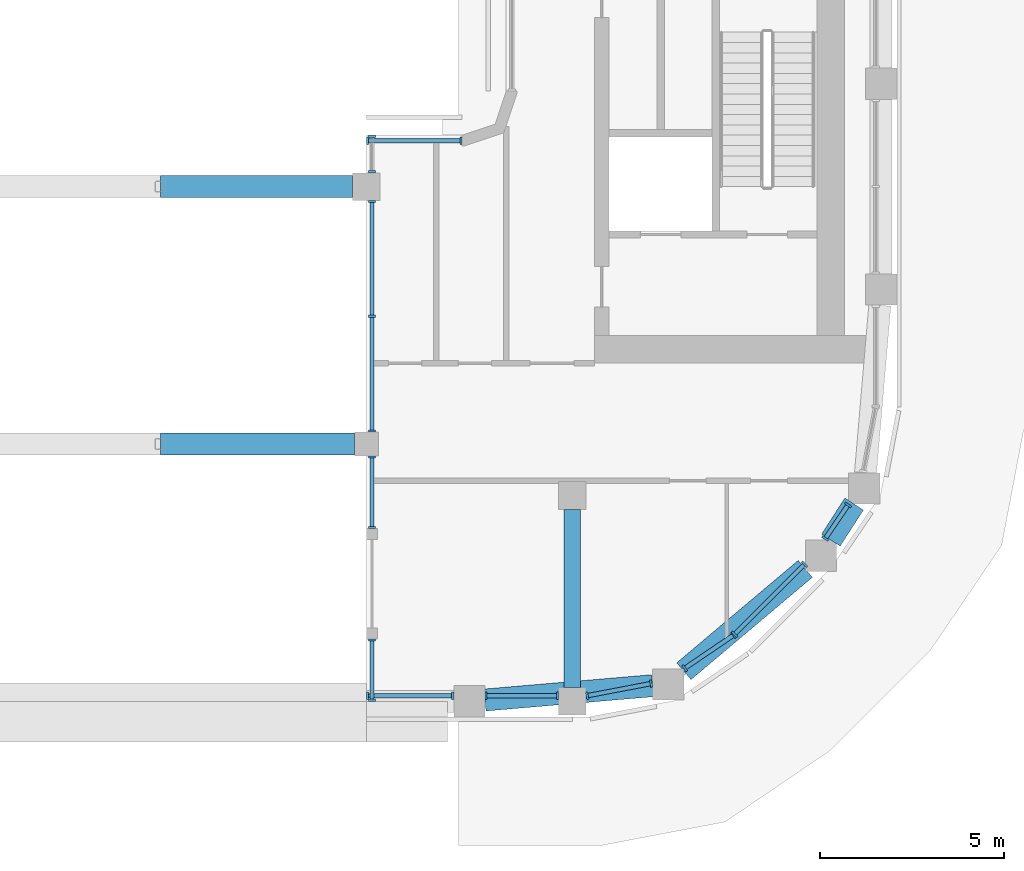
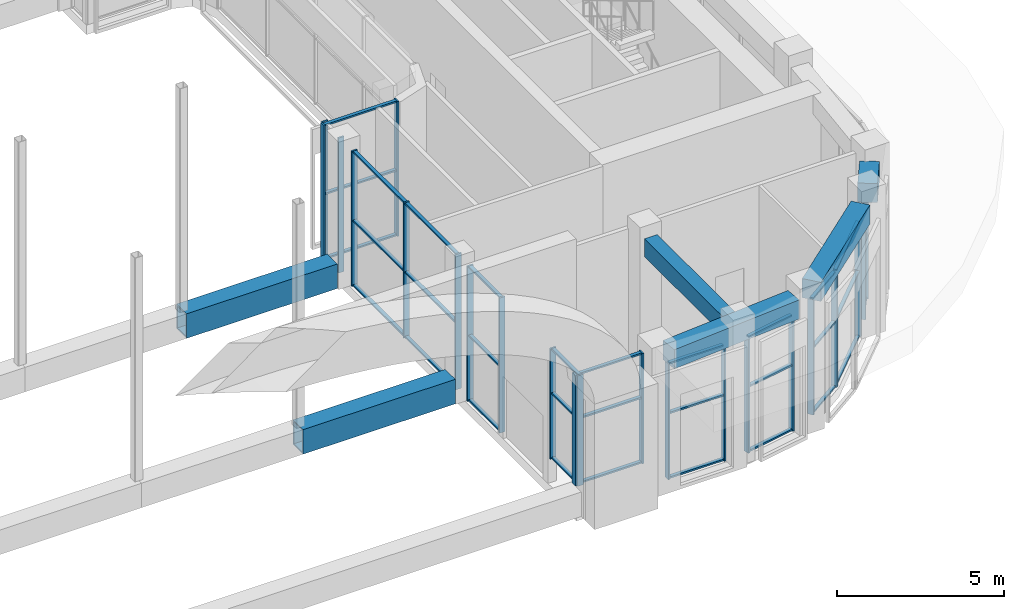
# One storey, part 5 of 26: 57 members, 4 beams, 11 elements without a shape of their own.
"""IFC4 building model written with IfcOpenShell, lengths in metres."""

from ifc_helpers import new_model, si_unit, direction, frame, origin, origin_2d, place, context, subcontext, project, spatial, rectangle, hollow_rectangle, extrude, material, layer, layer_set, material_profile, profile_set, type_object, element, aggregate, save


model = new_model("IFC4")

# Units and contexts
model_context = context("Model", 3, precision=1e-05, world=origin(), true_north=direction((0.0, 1.0)))
body_context = subcontext(model_context, "Body", "Model", "MODEL_VIEW")
ifc_project = project(units=[si_unit("LENGTHUNIT", "METRE"), si_unit("AREAUNIT", "SQUARE_METRE"), si_unit("VOLUMEUNIT", "CUBIC_METRE"), si_unit("PLANEANGLEUNIT", "RADIAN"), si_unit("MASSUNIT", "GRAM", prefix="KILO")], contexts=[model_context])

# Site, building, storey
site_placement = place(None, origin())
site = spatial("IfcSite", under=ifc_project, at=site_placement, CompositionType="ELEMENT")
building_placement = place(site_placement, origin())
building = spatial("IfcBuilding", under=site, at=building_placement, Name="Kiln Ring Residences", CompositionType="ELEMENT")
storey_placement = place(building_placement, frame((0.0, 0.0, 230.89990234375)))
storey = spatial("IfcBuildingStorey", under=building, at=storey_placement, Name="L60", CompositionType="ELEMENT", Elevation=230.89990234375)

# Members
ifc_material_1 = material(Name="Steel S460", Category="steel")
ifc_material_profile_1 = material_profile(ifc_material_1, hollow_rectangle(XDim=0.60009765625, YDim=0.89990234375, WallThickness=0.050048828125, at=origin_2d()), Name="BOX900x600x50")
ifc_profile_set_1 = profile_set([ifc_material_profile_1], Name="Steel S460")
member_type_1 = type_object("IfcMemberType", Name="Bridge truss chord BOX900x600x50 S460", PredefinedType="CHORD", material=ifc_profile_set_1)
member_1_placement = place(storey_placement, frame((5.60009765625, -15.39990234375, 0.4501953125), z_axis=(1.0, 0.0, 0.0), x_axis=(0.0, 1.0, 0.0)))
element("IfcMember", 1, at=member_1_placement, inside=storey, type_object=member_type_1, Name="Bridge truss chord L60 5", PredefinedType="CHORD", context=body_context, shape_type="SweptSolid", body=[
    extrude(hollow_rectangle(XDim=0.60009765625, YDim=0.89990234375, WallThickness=0.050048828125, at=origin_2d()), origin(), (0.0, 0.0, 1.0), 5.27490234375),
])
member_2_placement = place(storey_placement, frame((5.60009765625, -8.39990234375, 0.4501953125), z_axis=(1.0, 0.0, 0.0), x_axis=(0.0, 1.0, 0.0)))
element("IfcMember", 2, at=member_2_placement, inside=storey, type_object=member_type_1, Name="Bridge truss chord L60 9", PredefinedType="CHORD", context=body_context, shape_type="SweptSolid", body=[
    extrude(hollow_rectangle(XDim=0.60009765625, YDim=0.89990234375, WallThickness=0.050048828125, at=origin_2d()), origin(), (0.0, 0.0, 1.0), 5.224853515625),
])

# Curtain wall, members
ifc_material_2 = material(Name="Aluminium and glass", Category="aluminium")
ifc_layer = layer(ifc_material_2, 0.199951171875)
ifc_layer_set = layer_set([ifc_layer], Name="CW1 CURTAIN WALL")
curtain_wall_type = type_object("IfcCurtainWallType", Name="CW1 CURTAIN WALL", PredefinedType="NOTDEFINED", material=ifc_layer_set)
placement = place(storey_placement, origin())
curtain_wall_1 = element("IfcCurtainWall", 3, at=placement, inside=storey, type_object=curtain_wall_type, Name="Curtain wall CW1 L60", PredefinedType="NOTDEFINED")
ifc_material_3 = material(Name="Aluminium 6063-T6", Category="aluminium")
ifc_material_profile_2 = material_profile(ifc_material_3, rectangle(XDim=0.199951171875, YDim=0.06005859375, at=origin_2d()), Name="AL 200x60")
ifc_profile_set_2 = profile_set([ifc_material_profile_2], Name="Aluminium 6063-T6")
member_type_2 = type_object("IfcMemberType", Name="CW1 MULLION 200 x 60", PredefinedType="MULLION", material=ifc_profile_set_2)
member_3_placement = place(storey_placement, frame((13.77001953125, -7.14990234375, 0.0), z_axis=(0.0, 0.0, 1.0), x_axis=(0.0, -1.0, 0.0)))
member_3 = element("IfcMember", 4, at=member_3_placement, type_object=member_type_2, Name="CW1 mullion 1", PredefinedType="MULLION", context=body_context, shape_type="SweptSolid", body=[
    extrude(rectangle(XDim=0.199951171875, YDim=0.06005859375, at=origin_2d()), origin(), (0.0, 0.0, 1.0), 4.9501953125),
])
member_4_placement = place(storey_placement, frame((11.22998046875, -7.14990234375, 0.0), z_axis=(0.0, 0.0, 1.0), x_axis=(0.0, -1.0, 0.0)))
member_4 = element("IfcMember", 5, at=member_4_placement, type_object=member_type_2, Name="CW1 mullion 2", PredefinedType="MULLION", context=body_context, shape_type="SweptSolid", body=[
    extrude(rectangle(XDim=0.199951171875, YDim=0.06005859375, at=origin_2d()), origin(), (0.0, 0.0, 1.0), 4.9501953125),
])

curtain_wall_2 = element("IfcCurtainWall", 6, at=placement, inside=storey, type_object=curtain_wall_type, Name="Curtain wall CW1 L60", PredefinedType="NOTDEFINED")
member_5_placement = place(storey_placement, frame((11.35009765625, -7.030029296875, 0.0), z_axis=(0.0, 0.0, 1.0), x_axis=(1.0, 0.0, 0.0)))
member_5 = element("IfcMember", 7, at=member_5_placement, type_object=member_type_2, Name="CW1 mullion 1", PredefinedType="MULLION", context=body_context, shape_type="SweptSolid", body=[
    extrude(rectangle(XDim=0.199951171875, YDim=0.06005859375, at=origin_2d()), origin(), (0.0, 0.0, 1.0), 4.9501953125),
])
member_6_placement = place(storey_placement, frame((11.35009765625, -7.9951171875, 0.0), z_axis=(0.0, 0.0, 1.0), x_axis=(1.0, 0.0, 0.0)))
member_6 = element("IfcMember", 8, at=member_6_placement, type_object=member_type_2, Name="CW1 mullion 2", PredefinedType="MULLION", context=body_context, shape_type="SweptSolid", body=[
    extrude(rectangle(XDim=0.199951171875, YDim=0.06005859375, at=origin_2d()), origin(), (0.0, 0.0, 1.0), 4.9501953125),
])
aggregate(curtain_wall_2, [member_5, member_6])

curtain_wall_3 = element("IfcCurtainWall", 9, at=placement, inside=storey, type_object=curtain_wall_type, Name="Curtain wall CW1 L60", PredefinedType="NOTDEFINED")
member_7_placement = place(storey_placement, frame((11.35009765625, -8.804931640625, 0.0), z_axis=(0.0, 0.0, 1.0), x_axis=(1.0, 0.0, 0.0)))
member_7 = element("IfcMember", 10, at=member_7_placement, type_object=member_type_2, Name="CW1 mullion 1", PredefinedType="MULLION", context=body_context, shape_type="SweptSolid", body=[
    extrude(rectangle(XDim=0.199951171875, YDim=0.06005859375, at=origin_2d()), origin(), (0.0, 0.0, 1.0), 4.9501953125),
])
member_8_placement = place(storey_placement, frame((11.35009765625, -11.925048828125, 0.0), z_axis=(0.0, 0.0, 1.0), x_axis=(1.0, 0.0, 0.0)))
member_8 = element("IfcMember", 11, at=member_8_placement, type_object=member_type_2, Name="CW1 mullion 2", PredefinedType="MULLION", context=body_context, shape_type="SweptSolid", body=[
    extrude(rectangle(XDim=0.199951171875, YDim=0.06005859375, at=origin_2d()), origin(), (0.0, 0.0, 1.0), 4.9501953125),
])
member_9_placement = place(storey_placement, frame((11.35009765625, -15.044921875, 0.0), z_axis=(0.0, 0.0, 1.0), x_axis=(1.0, 0.0, 0.0)))
member_9 = element("IfcMember", 12, at=member_9_placement, type_object=member_type_2, Name="CW1 mullion 3", PredefinedType="MULLION", context=body_context, shape_type="SweptSolid", body=[
    extrude(rectangle(XDim=0.199951171875, YDim=0.06005859375, at=origin_2d()), origin(), (0.0, 0.0, 1.0), 4.9501953125),
])

curtain_wall_4 = element("IfcCurtainWall", 13, at=placement, inside=storey, type_object=curtain_wall_type, Name="Curtain wall CW1 L60", PredefinedType="NOTDEFINED")
member_10_placement = place(storey_placement, frame((11.35009765625, -15.7548828125, 0.0), z_axis=(0.0, 0.0, 1.0), x_axis=(1.0, 0.0, 0.0)))
member_10 = element("IfcMember", 14, at=member_10_placement, type_object=member_type_2, Name="CW1 mullion 1", PredefinedType="MULLION", context=body_context, shape_type="SweptSolid", body=[
    extrude(rectangle(XDim=0.199951171875, YDim=0.06005859375, at=origin_2d()), origin(), (0.0, 0.0, 1.0), 4.9501953125),
])
member_11_placement = place(storey_placement, frame((11.35009765625, -17.669921875, 0.0), z_axis=(0.0, 0.0, 1.0), x_axis=(1.0, 0.0, 0.0)))
member_11 = element("IfcMember", 15, at=member_11_placement, type_object=member_type_2, Name="CW1 mullion 2", PredefinedType="MULLION", context=body_context, shape_type="SweptSolid", body=[
    extrude(rectangle(XDim=0.199951171875, YDim=0.06005859375, at=origin_2d()), origin(), (0.0, 0.0, 1.0), 4.9501953125),
])

curtain_wall_5 = element("IfcCurtainWall", 16, at=placement, inside=storey, type_object=curtain_wall_type, Name="Curtain wall CW1 L60", PredefinedType="NOTDEFINED")
member_12_placement = place(storey_placement, frame((11.35009765625, -20.72998046875, 0.900146484375), z_axis=(0.0, 0.0, 1.0), x_axis=(1.0, 0.0, 0.0)))
member_12 = element("IfcMember", 17, at=member_12_placement, type_object=member_type_2, Name="CW1 mullion 1", PredefinedType="MULLION", context=body_context, shape_type="SweptSolid", body=[
    extrude(rectangle(XDim=0.199951171875, YDim=0.06005859375, at=origin_2d()), origin(), (0.0, 0.0, 1.0), 4.050048828125),
])
member_13_placement = place(storey_placement, frame((11.35009765625, -22.3701171875, 0.900146484375), z_axis=(0.0, 0.0, 1.0), x_axis=(1.0, 0.0, 0.0)))
member_13 = element("IfcMember", 18, at=member_13_placement, type_object=member_type_2, Name="CW1 mullion 2", PredefinedType="MULLION", context=body_context, shape_type="SweptSolid", body=[
    extrude(rectangle(XDim=0.199951171875, YDim=0.06005859375, at=origin_2d()), origin(), (0.0, 0.0, 1.0), 4.050048828125),
])

curtain_wall_6 = element("IfcCurtainWall", 19, at=placement, inside=storey, type_object=curtain_wall_type, Name="Curtain wall CW1 L60", PredefinedType="NOTDEFINED")
member_14_placement = place(storey_placement, frame((11.22998046875, -22.25, 0.900146484375), z_axis=(0.0, 0.0, 1.0), x_axis=(0.0, 1.0, 0.0)))
member_14 = element("IfcMember", 20, at=member_14_placement, type_object=member_type_2, Name="CW1 mullion 1", PredefinedType="MULLION", context=body_context, shape_type="SweptSolid", body=[
    extrude(rectangle(XDim=0.199951171875, YDim=0.06005859375, at=origin_2d()), origin(), (0.0, 0.0, 1.0), 4.050048828125),
])
member_15_placement = place(storey_placement, frame((13.544921875, -22.25, 0.900146484375), z_axis=(0.0, 0.0, 1.0), x_axis=(0.0, 1.0, 0.0)))
member_15 = element("IfcMember", 21, at=member_15_placement, type_object=member_type_2, Name="CW1 mullion 2", PredefinedType="MULLION", context=body_context, shape_type="SweptSolid", body=[
    extrude(rectangle(XDim=0.199951171875, YDim=0.06005859375, at=origin_2d()), origin(), (0.0, 0.0, 1.0), 4.050048828125),
])

curtain_wall_7 = element("IfcCurtainWall", 22, at=placement, inside=storey, type_object=curtain_wall_type, Name="Curtain wall CW1 L60", PredefinedType="NOTDEFINED")
member_16_placement = place(storey_placement, frame((14.455078125, -22.25, 0.0), z_axis=(0.0, 0.0, 1.0), x_axis=(0.0, 1.0, 0.0)))
member_16 = element("IfcMember", 23, at=member_16_placement, type_object=member_type_2, Name="CW1 mullion 1", PredefinedType="MULLION", context=body_context, shape_type="SweptSolid", body=[
    extrude(rectangle(XDim=0.199951171875, YDim=0.06005859375, at=origin_2d()), origin(), (0.0, 0.0, 1.0), 4.25),
])
member_17_placement = place(storey_placement, frame((16.39501953125, -22.25, 0.0), z_axis=(0.0, 0.0, 1.0), x_axis=(0.0, 1.0, 0.0)))
member_17 = element("IfcMember", 24, at=member_17_placement, type_object=member_type_2, Name="CW1 mullion 2", PredefinedType="MULLION", context=body_context, shape_type="SweptSolid", body=[
    extrude(rectangle(XDim=0.199951171875, YDim=0.06005859375, at=origin_2d()), origin(), (0.0, 0.0, 1.0), 4.25),
])

curtain_wall_8 = element("IfcCurtainWall", 25, at=placement, inside=storey, type_object=curtain_wall_type, Name="Curtain wall CW1 L60", PredefinedType="NOTDEFINED")
member_18_placement = place(storey_placement, frame((17.20458984375, -22.246337890625, 0.0), z_axis=(0.0, 0.0, 1.0), x_axis=(-0.18736555009, 0.982290257836, 0.0)))
member_18 = element("IfcMember", 26, at=member_18_placement, type_object=member_type_2, Name="CW1 mullion 1", PredefinedType="MULLION", context=body_context, shape_type="SweptSolid", body=[
    extrude(rectangle(XDim=0.199951171875, YDim=0.06005859375, at=origin_2d()), origin(), (0.0, 0.0, 1.0), 4.25),
])
member_19_placement = place(storey_placement, frame((18.941162109375, -21.915283203125, 0.0), z_axis=(0.0, 0.0, 1.0), x_axis=(-0.18736555009, 0.982290257836, 0.0)))
member_19 = element("IfcMember", 27, at=member_19_placement, type_object=member_type_2, Name="CW1 mullion 2", PredefinedType="MULLION", context=body_context, shape_type="SweptSolid", body=[
    extrude(rectangle(XDim=0.199951171875, YDim=0.06005859375, at=origin_2d()), origin(), (0.0, 0.0, 1.0), 4.25),
])

curtain_wall_9 = element("IfcCurtainWall", 28, at=placement, inside=storey, type_object=curtain_wall_type, Name="Curtain wall CW1 L60", PredefinedType="NOTDEFINED")
member_20_placement = place(storey_placement, frame((19.8583984375, -21.499267578125, 0.0), z_axis=(0.0, 0.0, 1.0), x_axis=(-0.562096651033, 0.827071553674, 0.0)))
member_20 = element("IfcMember", 29, at=member_20_placement, type_object=member_type_2, Name="CW1 mullion 1", PredefinedType="MULLION", context=body_context, shape_type="SweptSolid", body=[
    extrude(rectangle(XDim=0.199951171875, YDim=0.06005859375, at=origin_2d()), origin(), (0.0, 0.0, 1.0), 4.25),
])
member_21_placement = place(storey_placement, frame((21.18798828125, -20.595703125, 0.0), z_axis=(0.0, 0.0, 1.0), x_axis=(-0.562096651033, 0.827071553674, 0.0)))
member_21 = element("IfcMember", 30, at=member_21_placement, type_object=member_type_2, Name="CW1 mullion 2", PredefinedType="MULLION", context=body_context, shape_type="SweptSolid", body=[
    extrude(rectangle(XDim=0.199951171875, YDim=0.06005859375, at=origin_2d()), origin(), (0.0, 0.0, 1.0), 4.25),
])

curtain_wall_10 = element("IfcCurtainWall", 31, at=placement, inside=storey, type_object=curtain_wall_type, Name="Curtain wall CW1 L60", PredefinedType="NOTDEFINED")
member_22_placement = place(storey_placement, frame((21.212158203125, -20.57568359375, 0.0), z_axis=(0.0, 0.0, 1.0), x_axis=(-0.707106781187, 0.707106781187, 0.0)))
member_22 = element("IfcMember", 32, at=member_22_placement, type_object=member_type_2, Name="CW1 mullion 1", PredefinedType="MULLION", context=body_context, shape_type="SweptSolid", body=[
    extrude(rectangle(XDim=0.199951171875, YDim=0.06005859375, at=origin_2d()), origin(), (0.0, 0.0, 1.0), 4.25),
])
member_23_placement = place(storey_placement, frame((23.113525390625, -18.67431640625, 0.0), z_axis=(0.0, 0.0, 1.0), x_axis=(-0.707106781187, 0.707106781187, 0.0)))
member_23 = element("IfcMember", 33, at=member_23_placement, type_object=member_type_2, Name="CW1 mullion 2", PredefinedType="MULLION", context=body_context, shape_type="SweptSolid", body=[
    extrude(rectangle(XDim=0.199951171875, YDim=0.06005859375, at=origin_2d()), origin(), (0.0, 0.0, 1.0), 4.25),
])

curtain_wall_11 = element("IfcCurtainWall", 34, at=placement, inside=storey, type_object=curtain_wall_type, Name="Curtain wall CW1 L60", PredefinedType="NOTDEFINED")
member_24_placement = place(storey_placement, frame((23.678955078125, -17.97119140625, 0.0), z_axis=(0.0, 0.0, 1.0), x_axis=(-0.82707155387, 0.562096650745, 0.0)))
member_24 = element("IfcMember", 35, at=member_24_placement, type_object=member_type_2, Name="CW1 mullion 1", PredefinedType="MULLION", context=body_context, shape_type="SweptSolid", body=[
    extrude(rectangle(XDim=0.199951171875, YDim=0.06005859375, at=origin_2d()), origin(), (0.0, 0.0, 1.0), 4.25),
])
member_25_placement = place(storey_placement, frame((24.29931640625, -17.05859375, 0.0), z_axis=(0.0, 0.0, 1.0), x_axis=(-0.82707155387, 0.562096650745, 0.0)))
member_25 = element("IfcMember", 36, at=member_25_placement, type_object=member_type_2, Name="CW1 mullion 2", PredefinedType="MULLION", context=body_context, shape_type="SweptSolid", body=[
    extrude(rectangle(XDim=0.199951171875, YDim=0.06005859375, at=origin_2d()), origin(), (0.0, 0.0, 1.0), 4.25),
])

# Member
ifc_material_4 = material(Name="Aluminium 6063-T6", Category="aluminium")
ifc_material_profile_3 = material_profile(ifc_material_4, rectangle(XDim=0.1201171875, YDim=0.06005859375, at=origin_2d()), Name="AL 120x60")
ifc_profile_set_3 = profile_set([ifc_material_profile_3], Name="Aluminium 6063-T6")
member_type_3 = type_object("IfcMemberType", Name="CW1 TRANSOM 120 x 60", PredefinedType="USERDEFINED", material=ifc_profile_set_3)
member_26_placement = place(storey_placement, frame((13.739990234375, -7.14990234375, 0.030029296875), z_axis=(-1.0, 0.0, 0.0), x_axis=(0.0, -1.0, 0.0)))
member_26 = element("IfcMember", 37, at=member_26_placement, type_object=member_type_3, Name="CW1 transom 1.1", ObjectType="TRANSOM", PredefinedType="USERDEFINED", context=body_context, shape_type="SweptSolid", body=[
    extrude(rectangle(XDim=0.1201171875, YDim=0.06005859375, at=origin_2d()), origin(), (0.0, 0.0, 1.0), 2.47998046875),
])

member_27_placement = place(storey_placement, frame((13.739990234375, -7.14990234375, 2.400146484375), z_axis=(-1.0, 0.0, 0.0), x_axis=(0.0, -1.0, 0.0)))
member_27 = element("IfcMember", 38, at=member_27_placement, type_object=member_type_3, Name="CW1 transom 1.2", ObjectType="TRANSOM", PredefinedType="USERDEFINED", context=body_context, shape_type="SweptSolid", body=[
    extrude(rectangle(XDim=0.1201171875, YDim=0.06005859375, at=origin_2d()), origin(), (0.0, 0.0, 1.0), 2.47998046875),
])

member_28_placement = place(storey_placement, frame((13.739990234375, -7.14990234375, 4.920166015625), z_axis=(-1.0, 0.0, 0.0), x_axis=(0.0, -1.0, 0.0)))
member_28 = element("IfcMember", 39, at=member_28_placement, type_object=member_type_3, Name="CW1 transom 1.3", ObjectType="TRANSOM", PredefinedType="USERDEFINED", context=body_context, shape_type="SweptSolid", body=[
    extrude(rectangle(XDim=0.1201171875, YDim=0.06005859375, at=origin_2d()), origin(), (0.0, 0.0, 1.0), 2.47998046875),
])

aggregate(curtain_wall_1, [member_3, member_4, member_26, member_27, member_28])

member_29_placement = place(storey_placement, frame((11.35009765625, -8.8349609375, 0.030029296875), z_axis=(0.0, -1.0, 0.0), x_axis=(1.0, 0.0, 0.0)))
member_29 = element("IfcMember", 40, at=member_29_placement, type_object=member_type_3, Name="CW1 transom 1.1", ObjectType="TRANSOM", PredefinedType="USERDEFINED", context=body_context, shape_type="SweptSolid", body=[
    extrude(rectangle(XDim=0.1201171875, YDim=0.06005859375, at=origin_2d()), origin(), (0.0, 0.0, 1.0), 3.06005859375),
])

member_30_placement = place(storey_placement, frame((11.35009765625, -8.8349609375, 2.400146484375), z_axis=(0.0, -1.0, 0.0), x_axis=(1.0, 0.0, 0.0)))
member_30 = element("IfcMember", 41, at=member_30_placement, type_object=member_type_3, Name="CW1 transom 1.2", ObjectType="TRANSOM", PredefinedType="USERDEFINED", context=body_context, shape_type="SweptSolid", body=[
    extrude(rectangle(XDim=0.1201171875, YDim=0.06005859375, at=origin_2d()), origin(), (0.0, 0.0, 1.0), 3.06005859375),
])

member_31_placement = place(storey_placement, frame((11.35009765625, -8.8349609375, 4.920166015625), z_axis=(0.0, -1.0, 0.0), x_axis=(1.0, 0.0, 0.0)))
member_31 = element("IfcMember", 42, at=member_31_placement, type_object=member_type_3, Name="CW1 transom 1.3", ObjectType="TRANSOM", PredefinedType="USERDEFINED", context=body_context, shape_type="SweptSolid", body=[
    extrude(rectangle(XDim=0.1201171875, YDim=0.06005859375, at=origin_2d()), origin(), (0.0, 0.0, 1.0), 3.06005859375),
])

member_32_placement = place(storey_placement, frame((11.35009765625, -11.955078125, 0.030029296875), z_axis=(0.0, -1.0, 0.0), x_axis=(1.0, 0.0, 0.0)))
member_32 = element("IfcMember", 43, at=member_32_placement, type_object=member_type_3, Name="CW1 transom 2.1", ObjectType="TRANSOM", PredefinedType="USERDEFINED", context=body_context, shape_type="SweptSolid", body=[
    extrude(rectangle(XDim=0.1201171875, YDim=0.06005859375, at=origin_2d()), origin(), (0.0, 0.0, 1.0), 3.059814453125),
])

member_33_placement = place(storey_placement, frame((11.35009765625, -11.955078125, 2.400146484375), z_axis=(0.0, -1.0, 0.0), x_axis=(1.0, 0.0, 0.0)))
member_33 = element("IfcMember", 44, at=member_33_placement, type_object=member_type_3, Name="CW1 transom 2.2", ObjectType="TRANSOM", PredefinedType="USERDEFINED", context=body_context, shape_type="SweptSolid", body=[
    extrude(rectangle(XDim=0.1201171875, YDim=0.06005859375, at=origin_2d()), origin(), (0.0, 0.0, 1.0), 3.059814453125),
])

member_34_placement = place(storey_placement, frame((11.35009765625, -11.955078125, 4.920166015625), z_axis=(0.0, -1.0, 0.0), x_axis=(1.0, 0.0, 0.0)))
member_34 = element("IfcMember", 45, at=member_34_placement, type_object=member_type_3, Name="CW1 transom 2.3", ObjectType="TRANSOM", PredefinedType="USERDEFINED", context=body_context, shape_type="SweptSolid", body=[
    extrude(rectangle(XDim=0.1201171875, YDim=0.06005859375, at=origin_2d()), origin(), (0.0, 0.0, 1.0), 3.059814453125),
])

aggregate(curtain_wall_3, [member_7, member_8, member_9, member_29, member_30, member_31, member_32, member_33, member_34])

member_35_placement = place(storey_placement, frame((11.35009765625, -15.784912109375, 0.030029296875), z_axis=(0.0, -1.0, 0.0), x_axis=(1.0, 0.0, 0.0)))
member_35 = element("IfcMember", 46, at=member_35_placement, type_object=member_type_3, Name="CW1 transom 1.1", ObjectType="TRANSOM", PredefinedType="USERDEFINED", context=body_context, shape_type="SweptSolid", body=[
    extrude(rectangle(XDim=0.1201171875, YDim=0.06005859375, at=origin_2d()), origin(), (0.0, 0.0, 1.0), 1.85498046875),
])

member_36_placement = place(storey_placement, frame((11.35009765625, -15.784912109375, 2.400146484375), z_axis=(0.0, -1.0, 0.0), x_axis=(1.0, 0.0, 0.0)))
member_36 = element("IfcMember", 47, at=member_36_placement, type_object=member_type_3, Name="CW1 transom 1.2", ObjectType="TRANSOM", PredefinedType="USERDEFINED", context=body_context, shape_type="SweptSolid", body=[
    extrude(rectangle(XDim=0.1201171875, YDim=0.06005859375, at=origin_2d()), origin(), (0.0, 0.0, 1.0), 1.85498046875),
])

member_37_placement = place(storey_placement, frame((11.35009765625, -15.784912109375, 4.920166015625), z_axis=(0.0, -1.0, 0.0), x_axis=(1.0, 0.0, 0.0)))
member_37 = element("IfcMember", 48, at=member_37_placement, type_object=member_type_3, Name="CW1 transom 1.3", ObjectType="TRANSOM", PredefinedType="USERDEFINED", context=body_context, shape_type="SweptSolid", body=[
    extrude(rectangle(XDim=0.1201171875, YDim=0.06005859375, at=origin_2d()), origin(), (0.0, 0.0, 1.0), 1.85498046875),
])

aggregate(curtain_wall_4, [member_10, member_11, member_35, member_36, member_37])

member_38_placement = place(storey_placement, frame((11.35009765625, -20.760009765625, 0.93017578125), z_axis=(0.0, -1.0, 0.0), x_axis=(1.0, 0.0, 0.0)))
member_38 = element("IfcMember", 49, at=member_38_placement, type_object=member_type_3, Name="CW1 transom 1.1", ObjectType="TRANSOM", PredefinedType="USERDEFINED", context=body_context, shape_type="SweptSolid", body=[
    extrude(rectangle(XDim=0.1201171875, YDim=0.06005859375, at=origin_2d()), origin(), (0.0, 0.0, 1.0), 1.580078125),
])

member_39_placement = place(storey_placement, frame((11.35009765625, -20.760009765625, 3.300048828125), z_axis=(0.0, -1.0, 0.0), x_axis=(1.0, 0.0, 0.0)))
member_39 = element("IfcMember", 50, at=member_39_placement, type_object=member_type_3, Name="CW1 transom 1.2", ObjectType="TRANSOM", PredefinedType="USERDEFINED", context=body_context, shape_type="SweptSolid", body=[
    extrude(rectangle(XDim=0.1201171875, YDim=0.06005859375, at=origin_2d()), origin(), (0.0, 0.0, 1.0), 1.580078125),
])

member_40_placement = place(storey_placement, frame((11.35009765625, -20.760009765625, 4.920166015625), z_axis=(0.0, -1.0, 0.0), x_axis=(1.0, 0.0, 0.0)))
member_40 = element("IfcMember", 51, at=member_40_placement, type_object=member_type_3, Name="CW1 transom 1.3", ObjectType="TRANSOM", PredefinedType="USERDEFINED", context=body_context, shape_type="SweptSolid", body=[
    extrude(rectangle(XDim=0.1201171875, YDim=0.06005859375, at=origin_2d()), origin(), (0.0, 0.0, 1.0), 1.580078125),
])

aggregate(curtain_wall_5, [member_12, member_13, member_38, member_39, member_40])

member_41_placement = place(storey_placement, frame((11.260009765625, -22.25, 0.93017578125), z_axis=(1.0, 0.0, 0.0), x_axis=(0.0, 1.0, 0.0)))
member_41 = element("IfcMember", 52, at=member_41_placement, type_object=member_type_3, Name="CW1 transom 1.1", ObjectType="TRANSOM", PredefinedType="USERDEFINED", context=body_context, shape_type="SweptSolid", body=[
    extrude(rectangle(XDim=0.1201171875, YDim=0.06005859375, at=origin_2d()), origin(), (0.0, 0.0, 1.0), 2.2548828125),
])

member_42_placement = place(storey_placement, frame((11.260009765625, -22.25, 3.300048828125), z_axis=(1.0, 0.0, 0.0), x_axis=(0.0, 1.0, 0.0)))
member_42 = element("IfcMember", 53, at=member_42_placement, type_object=member_type_3, Name="CW1 transom 1.2", ObjectType="TRANSOM", PredefinedType="USERDEFINED", context=body_context, shape_type="SweptSolid", body=[
    extrude(rectangle(XDim=0.1201171875, YDim=0.06005859375, at=origin_2d()), origin(), (0.0, 0.0, 1.0), 2.2548828125),
])

member_43_placement = place(storey_placement, frame((11.260009765625, -22.25, 4.920166015625), z_axis=(1.0, 0.0, 0.0), x_axis=(0.0, 1.0, 0.0)))
member_43 = element("IfcMember", 54, at=member_43_placement, type_object=member_type_3, Name="CW1 transom 1.3", ObjectType="TRANSOM", PredefinedType="USERDEFINED", context=body_context, shape_type="SweptSolid", body=[
    extrude(rectangle(XDim=0.1201171875, YDim=0.06005859375, at=origin_2d()), origin(), (0.0, 0.0, 1.0), 2.2548828125),
])

aggregate(curtain_wall_6, [member_14, member_15, member_41, member_42, member_43])

member_44_placement = place(storey_placement, frame((14.485107421875, -22.25, 0.030029296875), z_axis=(1.0, 0.0, 0.0), x_axis=(0.0, 1.0, 0.0)))
member_44 = element("IfcMember", 55, at=member_44_placement, type_object=member_type_3, Name="CW1 transom 1.1", ObjectType="TRANSOM", PredefinedType="USERDEFINED", context=body_context, shape_type="SweptSolid", body=[
    extrude(rectangle(XDim=0.1201171875, YDim=0.06005859375, at=origin_2d()), origin(), (0.0, 0.0, 1.0), 1.8798828125),
])

member_45_placement = place(storey_placement, frame((14.485107421875, -22.25, 2.400146484375), z_axis=(1.0, 0.0, 0.0), x_axis=(0.0, 1.0, 0.0)))
member_45 = element("IfcMember", 56, at=member_45_placement, type_object=member_type_3, Name="CW1 transom 1.2", ObjectType="TRANSOM", PredefinedType="USERDEFINED", context=body_context, shape_type="SweptSolid", body=[
    extrude(rectangle(XDim=0.1201171875, YDim=0.06005859375, at=origin_2d()), origin(), (0.0, 0.0, 1.0), 1.8798828125),
])

member_46_placement = place(storey_placement, frame((14.485107421875, -22.25, 4.22021484375), z_axis=(1.0, 0.0, 0.0), x_axis=(0.0, 1.0, 0.0)))
member_46 = element("IfcMember", 57, at=member_46_placement, type_object=member_type_3, Name="CW1 transom 1.3", ObjectType="TRANSOM", PredefinedType="USERDEFINED", context=body_context, shape_type="SweptSolid", body=[
    extrude(rectangle(XDim=0.1201171875, YDim=0.06005859375, at=origin_2d()), origin(), (0.0, 0.0, 1.0), 1.8798828125),
])

aggregate(curtain_wall_7, [member_16, member_17, member_44, member_45, member_46])

member_47_placement = place(storey_placement, frame((17.23388671875, -22.24072265625, 0.030029296875), z_axis=(0.982311030476, 0.187256613784, 0.0), x_axis=(-0.187256613784, 0.982311030476, 0.0)))
member_47 = element("IfcMember", 58, at=member_47_placement, type_object=member_type_3, Name="CW1 transom 1.1", ObjectType="TRANSOM", PredefinedType="USERDEFINED", context=body_context, shape_type="SweptSolid", body=[
    extrude(rectangle(XDim=0.1201171875, YDim=0.06005859375, at=origin_2d()), origin(), (0.0, 0.0, 1.0), 1.7080078125),
])

member_48_placement = place(storey_placement, frame((17.23388671875, -22.24072265625, 2.400146484375), z_axis=(0.982311030476, 0.187256613784, 0.0), x_axis=(-0.187256613784, 0.982311030476, 0.0)))
member_48 = element("IfcMember", 59, at=member_48_placement, type_object=member_type_3, Name="CW1 transom 1.2", ObjectType="TRANSOM", PredefinedType="USERDEFINED", context=body_context, shape_type="SweptSolid", body=[
    extrude(rectangle(XDim=0.1201171875, YDim=0.06005859375, at=origin_2d()), origin(), (0.0, 0.0, 1.0), 1.7080078125),
])

member_49_placement = place(storey_placement, frame((17.23388671875, -22.24072265625, 4.22021484375), z_axis=(0.982311030476, 0.187256613784, 0.0), x_axis=(-0.187256613784, 0.982311030476, 0.0)))
member_49 = element("IfcMember", 60, at=member_49_placement, type_object=member_type_3, Name="CW1 transom 1.3", ObjectType="TRANSOM", PredefinedType="USERDEFINED", context=body_context, shape_type="SweptSolid", body=[
    extrude(rectangle(XDim=0.1201171875, YDim=0.06005859375, at=origin_2d()), origin(), (0.0, 0.0, 1.0), 1.7080078125),
])

aggregate(curtain_wall_8, [member_18, member_19, member_47, member_48, member_49])

member_50_placement = place(storey_placement, frame((19.88330078125, -21.482421875, 0.030029296875), z_axis=(0.827040930073, 0.562141708098, 0.0), x_axis=(-0.562141708098, 0.827040930073, 0.0)))
member_50 = element("IfcMember", 61, at=member_50_placement, type_object=member_type_3, Name="CW1 transom 1.1", ObjectType="TRANSOM", PredefinedType="USERDEFINED", context=body_context, shape_type="SweptSolid", body=[
    extrude(rectangle(XDim=0.1201171875, YDim=0.06005859375, at=origin_2d()), origin(), (0.0, 0.0, 1.0), 1.54736328125),
])

member_51_placement = place(storey_placement, frame((19.88330078125, -21.482421875, 2.400146484375), z_axis=(0.827040930073, 0.562141708098, 0.0), x_axis=(-0.562141708098, 0.827040930073, 0.0)))
member_51 = element("IfcMember", 62, at=member_51_placement, type_object=member_type_3, Name="CW1 transom 1.2", ObjectType="TRANSOM", PredefinedType="USERDEFINED", context=body_context, shape_type="SweptSolid", body=[
    extrude(rectangle(XDim=0.1201171875, YDim=0.06005859375, at=origin_2d()), origin(), (0.0, 0.0, 1.0), 1.54736328125),
])

member_52_placement = place(storey_placement, frame((19.88330078125, -21.482421875, 4.22021484375), z_axis=(0.827040930073, 0.562141708098, 0.0), x_axis=(-0.562141708098, 0.827040930073, 0.0)))
member_52 = element("IfcMember", 63, at=member_52_placement, type_object=member_type_3, Name="CW1 transom 1.3", ObjectType="TRANSOM", PredefinedType="USERDEFINED", context=body_context, shape_type="SweptSolid", body=[
    extrude(rectangle(XDim=0.1201171875, YDim=0.06005859375, at=origin_2d()), origin(), (0.0, 0.0, 1.0), 1.54736328125),
])

aggregate(curtain_wall_9, [member_20, member_21, member_50, member_51, member_52])

member_53_placement = place(storey_placement, frame((21.2333984375, -20.554443359375, 0.030029296875), z_axis=(0.707106781187, 0.707106781187, 0.0), x_axis=(-0.707106781187, 0.707106781187, 0.0)))
member_53 = element("IfcMember", 64, at=member_53_placement, type_object=member_type_3, Name="CW1 transom 1.1", ObjectType="TRANSOM", PredefinedType="USERDEFINED", context=body_context, shape_type="SweptSolid", body=[
    extrude(rectangle(XDim=0.1201171875, YDim=0.06005859375, at=origin_2d()), origin(), (0.0, 0.0, 1.0), 2.62890625),
])

member_54_placement = place(storey_placement, frame((21.2333984375, -20.554443359375, 2.400146484375), z_axis=(0.707106781187, 0.707106781187, 0.0), x_axis=(-0.707106781187, 0.707106781187, 0.0)))
member_54 = element("IfcMember", 65, at=member_54_placement, type_object=member_type_3, Name="CW1 transom 1.2", ObjectType="TRANSOM", PredefinedType="USERDEFINED", context=body_context, shape_type="SweptSolid", body=[
    extrude(rectangle(XDim=0.1201171875, YDim=0.06005859375, at=origin_2d()), origin(), (0.0, 0.0, 1.0), 2.62890625),
])

member_55_placement = place(storey_placement, frame((21.2333984375, -20.554443359375, 4.22021484375), z_axis=(0.707106781187, 0.707106781187, 0.0), x_axis=(-0.707106781187, 0.707106781187, 0.0)))
member_55 = element("IfcMember", 66, at=member_55_placement, type_object=member_type_3, Name="CW1 transom 1.3", ObjectType="TRANSOM", PredefinedType="USERDEFINED", context=body_context, shape_type="SweptSolid", body=[
    extrude(rectangle(XDim=0.1201171875, YDim=0.06005859375, at=origin_2d()), origin(), (0.0, 0.0, 1.0), 2.62890625),
])

aggregate(curtain_wall_10, [member_22, member_23, member_53, member_54, member_55])

member_56_placement = place(storey_placement, frame((23.69580078125, -17.9462890625, 0.030029296875), z_axis=(0.562182033231, 0.827013519546, 0.0), x_axis=(-0.827013519546, 0.562182033231, 0.0)))
member_56 = element("IfcMember", 67, at=member_56_placement, type_object=member_type_3, Name="CW1 transom 1.1", ObjectType="TRANSOM", PredefinedType="USERDEFINED", context=body_context, shape_type="SweptSolid", body=[
    extrude(rectangle(XDim=0.1201171875, YDim=0.06005859375, at=origin_2d()), origin(), (0.0, 0.0, 1.0), 1.04345703125),
])

member_57_placement = place(storey_placement, frame((23.69580078125, -17.9462890625, 2.400146484375), z_axis=(0.562182033231, 0.827013519546, 0.0), x_axis=(-0.827013519546, 0.562182033231, 0.0)))
member_57 = element("IfcMember", 68, at=member_57_placement, type_object=member_type_3, Name="CW1 transom 1.2", ObjectType="TRANSOM", PredefinedType="USERDEFINED", context=body_context, shape_type="SweptSolid", body=[
    extrude(rectangle(XDim=0.1201171875, YDim=0.06005859375, at=origin_2d()), origin(), (0.0, 0.0, 1.0), 1.04345703125),
])

aggregate(curtain_wall_11, [member_24, member_25, member_56, member_57])

# Beams
ifc_material_5 = material(Name="Concrete C50/60", Category="concrete")
ifc_material_profile_4 = material_profile(ifc_material_5, rectangle(XDim=0.449951171875, YDim=0.64990234375, at=origin_2d()), Name="RC450x650")
ifc_profile_set_4 = profile_set([ifc_material_profile_4], Name="Concrete C50/60")
beam_type_1 = type_object("IfcBeamType", Name="Ring beam RC450x650 C50/60", PredefinedType="BEAM", material=ifc_profile_set_4)
beam_1_placement = place(storey_placement, frame((16.800048828125, -17.175048828125, 4.625), z_axis=(0.0, -1.0, 0.0), x_axis=(1.0, 0.0, 0.0)))
element("IfcBeam", 69, at=beam_1_placement, inside=storey, type_object=beam_type_1, Name="Ring beam L60 3", PredefinedType="BEAM", context=body_context, shape_type="SweptSolid", body=[
    extrude(rectangle(XDim=0.449951171875, YDim=0.64990234375, at=origin_2d()), origin(), (0.0, 0.0, 1.0), 4.849853515625),
])
ifc_material_6 = material(Name="Concrete C50/60", Category="concrete")
ifc_material_profile_5 = material_profile(ifc_material_6, rectangle(XDim=0.60009765625, YDim=0.699951171875, at=origin_2d()), Name="RC600x700")
ifc_profile_set_5 = profile_set([ifc_material_profile_5], Name="Concrete C50/60")
beam_type_2 = type_object("IfcBeamType", Name="Spandrel beam RC600x700 C50/60", PredefinedType="SPANDREL", material=ifc_profile_set_5)
beam_2_placement = place(storey_placement, frame((14.425048828125, -22.36376953125, 4.60009765625), z_axis=(0.996371385312, 0.085112058675, 0.0), x_axis=(-0.085112058675, 0.996371385312, 0.0)))
element("IfcBeam", 70, at=beam_2_placement, inside=storey, type_object=beam_type_2, Name="Spandrel beam L60 2", PredefinedType="SPANDREL", context=body_context, shape_type="SweptSolid", body=[
    extrude(rectangle(XDim=0.60009765625, YDim=0.699951171875, at=origin_2d()), origin(), (0.0, 0.0, 1.0), 4.5751953125),
])
beam_3_placement = place(storey_placement, frame((19.833740234375, -21.580078125, 4.60009765625), z_axis=(0.764691163306, 0.64439694658, 0.0), x_axis=(-0.64439694658, 0.764691163306, 0.0)))
element("IfcBeam", 71, at=beam_3_placement, inside=storey, type_object=beam_type_2, Name="Spandrel beam L60 3", PredefinedType="SPANDREL", context=body_context, shape_type="SweptSolid", body=[
    extrude(rectangle(XDim=0.60009765625, YDim=0.699951171875, at=origin_2d()), origin(), (0.0, 0.0, 1.0), 4.31689453125),
])
beam_4_placement = place(storey_placement, frame((23.833251953125, -18.01513671875, 4.60009765625), z_axis=(0.541011334995, 0.84101530034, 0.0), x_axis=(-0.84101530034, 0.541011334995, 0.0)))
element("IfcBeam", 72, at=beam_4_placement, inside=storey, type_object=beam_type_2, Name="Spandrel beam L60 4", PredefinedType="SPANDREL", context=body_context, shape_type="SweptSolid", body=[
    extrude(rectangle(XDim=0.60009765625, YDim=0.699951171875, at=origin_2d()), origin(), (0.0, 0.0, 1.0), 1.1669921875),
])

save(model, "model.ifc")
